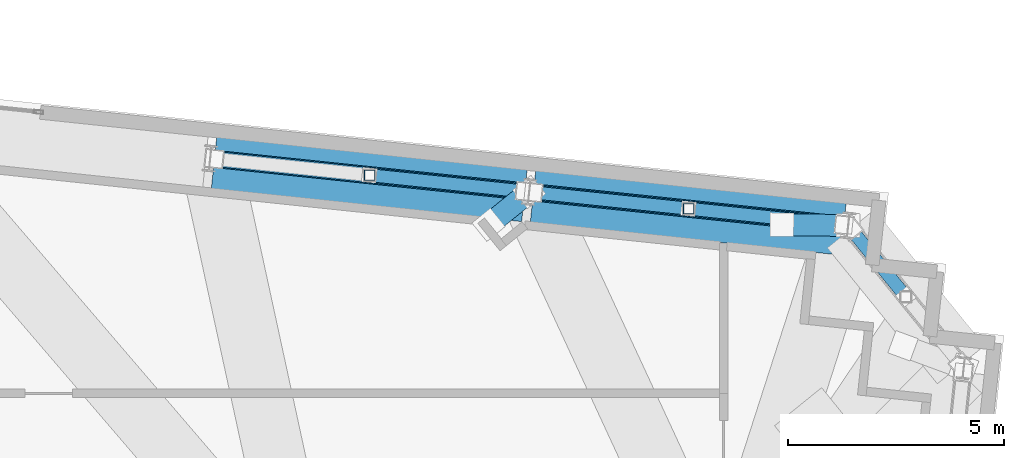
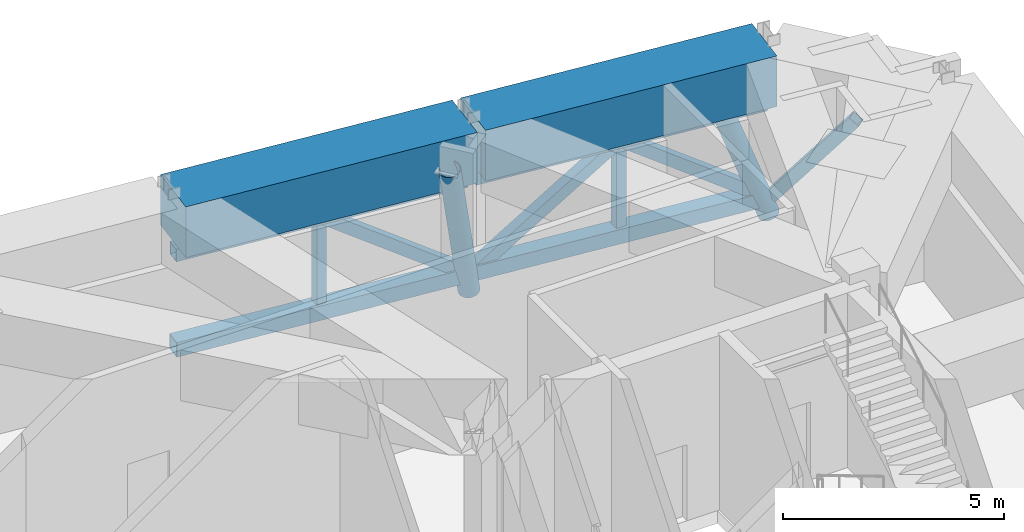
# One storey, part 13 of 21: 12 members, 2 beams.
"""IFC4 building model written with IfcOpenShell, lengths in metres."""

import ifcopenshell
import ifcopenshell.guid

model = None  # the IFC model being written
_history = None  # IfcOwnerHistory: only IFC2X3 demands one
_inside = {}  # id of a spatial element -> (the spatial element, [elements in it])
_under = {}  # id of a project, library or spatial element -> (it, [spatial elements below it])
_declared = {}  # id of a project -> (the project, [libraries it declares])
_typed = {}  # id of a type object -> (the type object, [elements of that type])
_made_of = {}  # id of a material, layer set ... -> (it, [elements and type objects made of it])


def new_model(schema):
    """Start an empty IFC model of exactly this schema.

    Asked for "IFC4X3", IfcOpenShell would pick the latest addendum, in which some entities
    have other attributes; the version numbers below select the first issue.
    IFC2X3 requires an IfcOwnerHistory on every rooted entity: one is made here for all.
    """
    global model, _history
    if schema == "IFC4X3":
        model = ifcopenshell.file(schema_version=(4, 3, 0, 0))
    else:
        model = ifcopenshell.file(schema=schema)
    _inside.clear()
    _under.clear()
    _declared.clear()
    _typed.clear()
    _made_of.clear()
    _history = None
    if model.schema == "IFC2X3":
        org = make("IfcOrganization", Name="unknown")
        user = make(
            "IfcPersonAndOrganization",
            ThePerson=make("IfcPerson", FamilyName="unknown"),
            TheOrganization=org,
        )
        app = make(
            "IfcApplication",
            ApplicationDeveloper=org,
            Version="unknown",
            ApplicationFullName="unknown",
            ApplicationIdentifier="unknown",
        )
        _history = make(
            "IfcOwnerHistory",
            OwningUser=user,
            OwningApplication=app,
            ChangeAction="ADDED",
            CreationDate=0,
        )
    return model


def make(cls, **values):
    """One entity of the class cls with the attributes given. An attribute that is None is left unset."""
    return model.create_entity(
        cls, **{name: value for name, value in values.items() if value is not None}
    )


def rooted(cls, **values):
    """An entity with a GlobalId (a new one), such as an element, a storey or a relation."""
    return make(cls, GlobalId=ifcopenshell.guid.new(), OwnerHistory=_history, **values)


def si_unit(unit_type, name, prefix=None):
    """IfcSIUnit, for example si_unit("LENGTHUNIT", "METRE", prefix="MILLI")."""
    return make("IfcSIUnit", UnitType=unit_type, Prefix=prefix, Name=name)


def assignment(units):
    """IfcUnitAssignment: the units of a project."""
    return None if units is None else make("IfcUnitAssignment", Units=units)


def point(xyz):
    """IfcCartesianPoint."""
    return None if xyz is None else make("IfcCartesianPoint", Coordinates=xyz)


def direction(xyz):
    """IfcDirection."""
    return None if xyz is None else make("IfcDirection", DirectionRatios=xyz)


def frame(location, z_axis=None, x_axis=None):
    """IfcAxis2Placement3D, a coordinate frame: its origin and axes. An axis left out is left unset."""
    return make(
        "IfcAxis2Placement3D",
        Location=point(location),
        Axis=direction(z_axis),
        RefDirection=direction(x_axis),
    )


def frame_2d(location, x_axis=None):
    """IfcAxis2Placement2D, a coordinate frame in the plane: its origin and x axis."""
    return make(
        "IfcAxis2Placement2D", Location=point(location), RefDirection=direction(x_axis)
    )


def origin():
    """The frame at (0, 0, 0) with its axes left unset."""
    return frame((0.0, 0.0, 0.0))


def origin_2d():
    """The frame at (0, 0) in the plane with its x axis left unset."""
    return frame_2d((0.0, 0.0))


def place(relative_to, where):
    """IfcLocalPlacement: puts the frame where relative to a parent placement (None: the world)."""
    return make(
        "IfcLocalPlacement", PlacementRelTo=relative_to, RelativePlacement=where
    )


def context(
    kind, dimensions, precision=None, world=None, true_north=None, identifier=None
):
    """IfcGeometricRepresentationContext, for example the 3D "Model" context."""
    return make(
        "IfcGeometricRepresentationContext",
        ContextIdentifier=identifier,
        ContextType=kind,
        CoordinateSpaceDimension=dimensions,
        Precision=precision,
        WorldCoordinateSystem=world,
        TrueNorth=true_north,
    )


def subcontext(parent, identifier, kind, view, scale=None):
    """IfcGeometricRepresentationSubContext, for example "Body" below "Model"."""
    return make(
        "IfcGeometricRepresentationSubContext",
        ContextIdentifier=identifier,
        ContextType=kind,
        ParentContext=parent,
        TargetScale=scale,
        TargetView=view,
    )


def project(units=None, contexts=None):
    """IfcProject with its units and contexts."""
    return rooted(
        "IfcProject",
        Name="project",
        RepresentationContexts=contexts,
        UnitsInContext=assignment(units),
    )


def spatial(cls, under=None, at=None, **own):
    """A site, building, storey or space (cls), placed at a placement, below another one or the project."""
    s = rooted(cls, ObjectPlacement=at, **own)
    if under is not None:
        _under.setdefault(under.id(), (under, []))[1].append(s)
    return s


def profile(cls, at=None, kind="AREA", **sizes):
    """A parametric profile (cls). Its sizes go by their IFC names, for example OverallWidth=200.0."""
    return make(cls, ProfileType=kind, Position=at, **sizes)


def rectangle(**sizes):
    """IfcRectangleProfileDef."""
    return profile("IfcRectangleProfileDef", **sizes)


def hollow_rectangle(**sizes):
    """IfcRectangleHollowProfileDef."""
    return profile("IfcRectangleHollowProfileDef", **sizes)


def hollow_circle(**sizes):
    """IfcCircleHollowProfileDef."""
    return profile("IfcCircleHollowProfileDef", **sizes)


def extrude(swept, where, along, depth):
    """IfcExtrudedAreaSolid: the profile swept, set in the frame where, extruded along a direction by depth."""
    return make(
        "IfcExtrudedAreaSolid",
        SweptArea=swept,
        Position=where,
        ExtrudedDirection=direction(along),
        Depth=depth,
    )


def shape(context_of_items, identifier, shape_type, items):
    """IfcShapeRepresentation: the items that make up one representation, for example the "Body"."""
    return make(
        "IfcShapeRepresentation",
        ContextOfItems=context_of_items,
        RepresentationIdentifier=identifier,
        RepresentationType=shape_type,
        Items=items,
    )


def material(Name=None, Category=None):
    """IfcMaterial."""
    return make("IfcMaterial", Name=Name, Category=Category)


def material_profile(
    of_material, cross_section, Name=None, Category=None, Priority=None
):
    """IfcMaterialProfile: a cross section and its material."""
    return make(
        "IfcMaterialProfile",
        Name=Name,
        Material=of_material,
        Profile=cross_section,
        Priority=Priority,
        Category=Category,
    )


def profile_set(profiles, Name=None, composite=None):
    """IfcMaterialProfileSet."""
    return make(
        "IfcMaterialProfileSet",
        Name=Name,
        MaterialProfiles=profiles,
        CompositeProfile=composite,
    )


def made_of(thing, what):
    """Note that an element or type object is made of a material, layer set ...; save() writes the relation."""
    if what is not None:
        _made_of.setdefault(what.id(), (what, []))[1].append(thing)
    return thing


def type_object(cls, material=None, **own):
    """A type object (cls), such as IfcWallType, which elements share."""
    return made_of(rooted(cls, **own), material)


def element(
    cls,
    number,
    at=None,
    inside=None,
    cuts=None,
    type_object=None,
    material=None,
    context=None,
    identifier="Body",
    shape_type=None,
    held_by="IfcProductDefinitionShape",
    body=None,
    shapes=None,
    **own,
):
    """One element of the class cls, such as IfcWall. Its Tag is "e" and its number.

    at: its placement. inside: the storey or other place that contains it. cuts: it is an
    opening in that element (IfcRelVoidsElement). A single representation is given by context,
    identifier, shape_type and body (its items); several are given by shapes. held_by: the class
    of the entity that holds the representations. save() writes the other relations.
    """
    e = rooted(cls, Tag="e%d" % number, ObjectPlacement=at, **own)
    if body is not None:
        shapes = [shape(context, identifier, shape_type, body)]
    if shapes is not None:
        e.Representation = make(held_by, Representations=shapes)
    if inside is not None:
        _inside.setdefault(inside.id(), (inside, []))[1].append(e)
    if cuts is not None:
        rooted(
            "IfcRelVoidsElement", RelatingBuildingElement=cuts, RelatedOpeningElement=e
        )
    if type_object is not None:
        _typed.setdefault(type_object.id(), (type_object, []))[1].append(e)
    return made_of(e, material)


def aggregate(whole, parts):
    """IfcRelAggregates: a whole, such as a stair, and the parts it consists of."""
    return rooted("IfcRelAggregates", RelatingObject=whole, RelatedObjects=parts)


def save(model, path):
    """Write the relations noted so far, then the file.

    IfcRelAggregates (storeys below a building ...), IfcRelContainedInSpatialStructure (elements
    in a storey), IfcRelDefinesByType, IfcRelAssociatesMaterial and IfcRelDeclares: one each for
    every whole, place, type object, material and project.
    """
    for whole, parts in _under.values():
        aggregate(whole, parts)
    for where, things in _inside.values():
        rooted(
            "IfcRelContainedInSpatialStructure",
            RelatedElements=things,
            RelatingStructure=where,
        )
    for kind, things in _typed.values():
        rooted("IfcRelDefinesByType", RelatedObjects=things, RelatingType=kind)
    for what, things in _made_of.values():
        rooted("IfcRelAssociatesMaterial", RelatedObjects=things, RelatingMaterial=what)
    for by, libraries in _declared.values():
        rooted("IfcRelDeclares", RelatingContext=by, RelatedDefinitions=libraries)
    model.write(path)


model = new_model("IFC4")

# Units and contexts
model_context = context("Model", 3, precision=1e-05, world=origin(), true_north=direction((0.0, 1.0)))
body_context = subcontext(model_context, "Body", "Model", "MODEL_VIEW")
ifc_project = project(units=[si_unit("LENGTHUNIT", "METRE"), si_unit("AREAUNIT", "SQUARE_METRE"), si_unit("VOLUMEUNIT", "CUBIC_METRE"), si_unit("PLANEANGLEUNIT", "RADIAN"), si_unit("MASSUNIT", "GRAM", prefix="KILO")], contexts=[model_context])

# Site, building, storey
site_placement = place(None, origin())
site = spatial("IfcSite", under=ifc_project, at=site_placement, CompositionType="ELEMENT")
building_placement = place(site_placement, origin())
building = spatial("IfcBuilding", under=site, at=building_placement, Name="Qobustan Lattice House", CompositionType="ELEMENT")
storey_placement = place(building_placement, frame((0.0, 0.0, 223.199951171875)))
storey = spatial("IfcBuildingStorey", under=building, at=storey_placement, Name="L63", CompositionType="ELEMENT", Elevation=223.199951171875)

# Beams
ifc_material_1 = material(Name="Concrete C60/75", Category="concrete")
ifc_material_profile_1 = material_profile(ifc_material_1, rectangle(XDim=1.39990234375, YDim=1.39990234375, at=origin_2d()), Name="RC1400x1400")
ifc_profile_set_1 = profile_set([ifc_material_profile_1], Name="Concrete C60/75")
beam_type = type_object("IfcBeamType", Name="BM-TRG-RC1400", PredefinedType="USERDEFINED", material=ifc_profile_set_1)
beam_1_placement = place(storey_placement, frame((21.57958984375, 14.54296875, 4.1201171875), z_axis=(-0.994524899383, 0.104499878026, 0.0), x_axis=(-0.104499878026, -0.994524899383, 0.0)))
element("IfcBeam", 1, at=beam_1_placement, inside=storey, type_object=beam_type, Name="L63 TT4 lower perimeter transfer girder N1-N2", ObjectType="GIRDER", PredefinedType="USERDEFINED", context=body_context, shape_type="SweptSolid", body=[
    extrude(rectangle(XDim=1.39990234375, YDim=1.39990234375, at=origin_2d()), origin(), (0.0, 0.0, 1.0), 7.216796875),
])
beam_2_placement = place(storey_placement, frame((14.203369140625, 15.318115234375, 4.1201171875), z_axis=(-0.994521013309, 0.10453685516, 0.0), x_axis=(-0.10453685516, -0.994521013309, 0.0)))
element("IfcBeam", 2, at=beam_2_placement, inside=storey, type_object=beam_type, Name="L63 TT4 lower perimeter transfer girder N2-N3", ObjectType="GIRDER", PredefinedType="USERDEFINED", context=body_context, shape_type="SweptSolid", body=[
    extrude(rectangle(XDim=1.39990234375, YDim=1.39990234375, at=origin_2d()), origin(), (0.0, 0.0, 1.0), 7.216552734375),
])

# Members
ifc_material_2 = material(Name="Steel S355", Category="steel")
ifc_material_profile_2 = material_profile(ifc_material_2, hollow_rectangle(XDim=0.300048828125, YDim=0.300048828125, WallThickness=0.01611328125, at=origin_2d()), Name="SHS300x300x16")
ifc_profile_set_2 = profile_set([ifc_material_profile_2], Name="Steel S355")
member_type_1 = type_object("IfcMemberType", Name="MEM-BRC-SHS300", PredefinedType="BRACE", material=ifc_profile_set_2)
member_1_placement = place(storey_placement, frame((23.013916015625, 12.8837890625, 3.14013671875), z_axis=(-0.387144821995, 0.478172155381, -0.788333861141), x_axis=(-0.777202679588, -0.629250343536, 0.0)))
element("IfcMember", 3, at=member_1_placement, inside=storey, type_object=member_type_1, Name="L63 TT4 belt truss web diagonal E4-N1 B", PredefinedType="BRACE", context=body_context, shape_type="SweptSolid", body=[
    extrude(hollow_rectangle(XDim=0.300048828125, YDim=0.300048828125, WallThickness=0.01611328125, at=origin_2d()), origin(), (0.0, 0.0, 1.0), 3.285400390625),
])
for number, where, z_axis, x_axis, name in (
    (4, (21.57958984375, 14.54296875, 0.550048828125), (-0.807931930746, 0.084921071706, 0.583124692379), (-0.104533338099, -0.994521382991, 0.0), "L63 TT4 belt truss web diagonal N1-N2 A"),
    (5, (17.990966796875, 14.920166015625, 3.14013671875), (-0.807935700731, 0.084866502614, -0.583127413365), (-0.104466417597, -0.994528414674, 0.0), "L63 TT4 belt truss web diagonal N1-N2 B"),
    (6, (14.203369140625, 15.318115234375, 0.550048828125), (-0.807912843065, 0.084924843008, 0.583150588657), (-0.104540372455, -0.99452064359, 0.0), "L63 TT4 belt truss web diagonal N2-N3 A"),
):
    element("IfcMember", number, at=place(storey_placement, frame(where, z_axis=z_axis, x_axis=x_axis)), inside=storey, type_object=member_type_1, Name=name, PredefinedType="BRACE", context=body_context, shape_type="SweptSolid", body=[
        extrude(hollow_rectangle(XDim=0.300048828125, YDim=0.300048828125, WallThickness=0.01611328125, at=origin_2d()), origin(), (0.0, 0.0, 1.0), 4.441650390625),
    ])
ifc_material_3 = material(Name="Steel S355", Category="steel")
ifc_material_profile_3 = material_profile(ifc_material_3, hollow_rectangle(XDim=0.35009765625, YDim=0.35009765625, WallThickness=0.01611328125, at=origin_2d()), Name="SHS350x350x16")
ifc_profile_set_3 = profile_set([ifc_material_profile_3], Name="Steel S355")
member_type_2 = type_object("IfcMemberType", Name="MEM-CHD-SHS350", PredefinedType="CHORD", material=ifc_profile_set_3)
member_2_placement = place(storey_placement, frame((21.57958984375, 14.54296875, 3.14013671875), z_axis=(-0.994524899383, 0.104499878026, 0.0), x_axis=(-0.104499878026, -0.994524899383, 0.0)))
element("IfcMember", 7, at=member_2_placement, inside=storey, type_object=member_type_2, Name="L63 TT4 belt truss top chord N1-N2", PredefinedType="CHORD", context=body_context, shape_type="SweptSolid", body=[
    extrude(hollow_rectangle(XDim=0.35009765625, YDim=0.35009765625, WallThickness=0.01611328125, at=origin_2d()), origin(), (0.0, 0.0, 1.0), 7.216796875),
])
member_3_placement = place(storey_placement, frame((14.203369140625, 15.318115234375, 3.14013671875), z_axis=(-0.994521013309, 0.10453685516, 0.0), x_axis=(-0.10453685516, -0.994521013309, 0.0)))
element("IfcMember", 8, at=member_3_placement, inside=storey, type_object=member_type_2, Name="L63 TT4 belt truss top chord N2-N3", PredefinedType="CHORD", context=body_context, shape_type="SweptSolid", body=[
    extrude(hollow_rectangle(XDim=0.35009765625, YDim=0.35009765625, WallThickness=0.01611328125, at=origin_2d()), origin(), (0.0, 0.0, 1.0), 7.216552734375),
])
ifc_material_4 = material(Name="Steel S355", Category="steel")
ifc_material_profile_4 = material_profile(ifc_material_4, hollow_rectangle(XDim=0.39990234375, YDim=0.39990234375, WallThickness=0.02001953125, at=origin_2d()), Name="SHS400x400x20")
ifc_profile_set_4 = profile_set([ifc_material_profile_4], Name="Steel S355")
member_type_3 = type_object("IfcMemberType", Name="MEM-CHD-SHS400", PredefinedType="CHORD", material=ifc_profile_set_4)
member_4_placement = place(storey_placement, frame((21.57958984375, 14.54296875, 0.550048828125), z_axis=(-0.994524899383, 0.104499878026, 0.0), x_axis=(-0.104499878026, -0.994524899383, 0.0)))
element("IfcMember", 9, at=member_4_placement, inside=storey, type_object=member_type_3, Name="L63 TT4 belt truss bottom chord N1-N2", PredefinedType="CHORD", context=body_context, shape_type="SweptSolid", body=[
    extrude(hollow_rectangle(XDim=0.39990234375, YDim=0.39990234375, WallThickness=0.02001953125, at=origin_2d()), origin(), (0.0, 0.0, 1.0), 7.216796875),
])
member_5_placement = place(storey_placement, frame((14.203369140625, 15.318115234375, 0.550048828125), z_axis=(-0.994521013309, 0.10453685516, 0.0), x_axis=(-0.10453685516, -0.994521013309, 0.0)))
element("IfcMember", 10, at=member_5_placement, inside=storey, type_object=member_type_3, Name="L63 TT4 belt truss bottom chord N2-N3", PredefinedType="CHORD", context=body_context, shape_type="SweptSolid", body=[
    extrude(hollow_rectangle(XDim=0.39990234375, YDim=0.39990234375, WallThickness=0.02001953125, at=origin_2d()), origin(), (0.0, 0.0, 1.0), 7.216552734375),
])
ifc_material_5 = material(Name="Steel S355", Category="steel")
ifc_material_profile_5 = material_profile(ifc_material_5, hollow_rectangle(XDim=0.25, YDim=0.25, WallThickness=0.012451171875, at=origin_2d()), Name="SHS250x250x12.5")
ifc_profile_set_5 = profile_set([ifc_material_profile_5], Name="Steel S355")
member_type_4 = type_object("IfcMemberType", Name="MEM-PST-SHS250", PredefinedType="POST", material=ifc_profile_set_5)
for number, where, z_axis, x_axis, name in (
    (11, (17.990966796875, 14.920166015625, 0.550048828125), (0.0, 0.0, 1.0), (1.0, 0.0, 0.0), "L63 TT4 belt truss vertical post N1-N2"),
    (12, (10.614990234375, 15.6953125, 0.550048828125), (0.0, 0.0, 1.0), (1.0, 0.0, 0.0), "L63 TT4 belt truss vertical post N2-N3"),
):
    element("IfcMember", number, at=place(storey_placement, frame(where, z_axis=z_axis, x_axis=x_axis)), inside=storey, type_object=member_type_4, Name=name, PredefinedType="POST", context=body_context, shape_type="SweptSolid", body=[
        extrude(hollow_rectangle(XDim=0.25, YDim=0.25, WallThickness=0.012451171875, at=origin_2d()), origin(), (0.0, 0.0, 1.0), 2.590087890625),
    ])
ifc_material_6 = material(Name="Steel S355", Category="steel")
ifc_material_profile_6 = material_profile(ifc_material_6, hollow_circle(Radius=0.25390625, WallThickness=0.02001953125, at=origin_2d()), Name="CHS508x20")
ifc_profile_set_6 = profile_set([ifc_material_profile_6], Name="Steel S355")
member_type_5 = type_object("IfcMemberType", Name="MEM-STR-CHS508", PredefinedType="STRUT", material=ifc_profile_set_6)
member_6_placement = place(storey_placement, frame((21.678955078125, 14.532470703125, 0.01513671875), z_axis=(-0.34905535232, 0.004012771095, 0.93709351651), x_axis=(-0.01149532855, -0.999933926528, 0.0)))
element("IfcMember", 13, at=member_6_placement, inside=storey, type_object=member_type_5, Name="L63 TT4 column transfer strut N1", PredefinedType="STRUT", context=body_context, shape_type="SweptSolid", body=[
    extrude(hollow_circle(Radius=0.25390625, WallThickness=0.02001953125, at=origin_2d()), origin(), (0.0, 0.0, 1.0), 4.380615234375),
])
member_7_placement = place(storey_placement, frame((14.302978515625, 15.3076171875, 0.01513671875), z_axis=(-0.218858461604, -0.177084173757, 0.959553109103), x_axis=(0.629011605526, -0.777395909504, 0.0)))
element("IfcMember", 14, at=member_7_placement, inside=storey, type_object=member_type_5, Name="L63 TT4 column transfer strut N2", PredefinedType="STRUT", context=body_context, shape_type="SweptSolid", body=[
    extrude(hollow_circle(Radius=0.25390625, WallThickness=0.02001953125, at=origin_2d()), origin(), (0.0, 0.0, 1.0), 4.278076171875),
])

save(model, "model.ifc")
